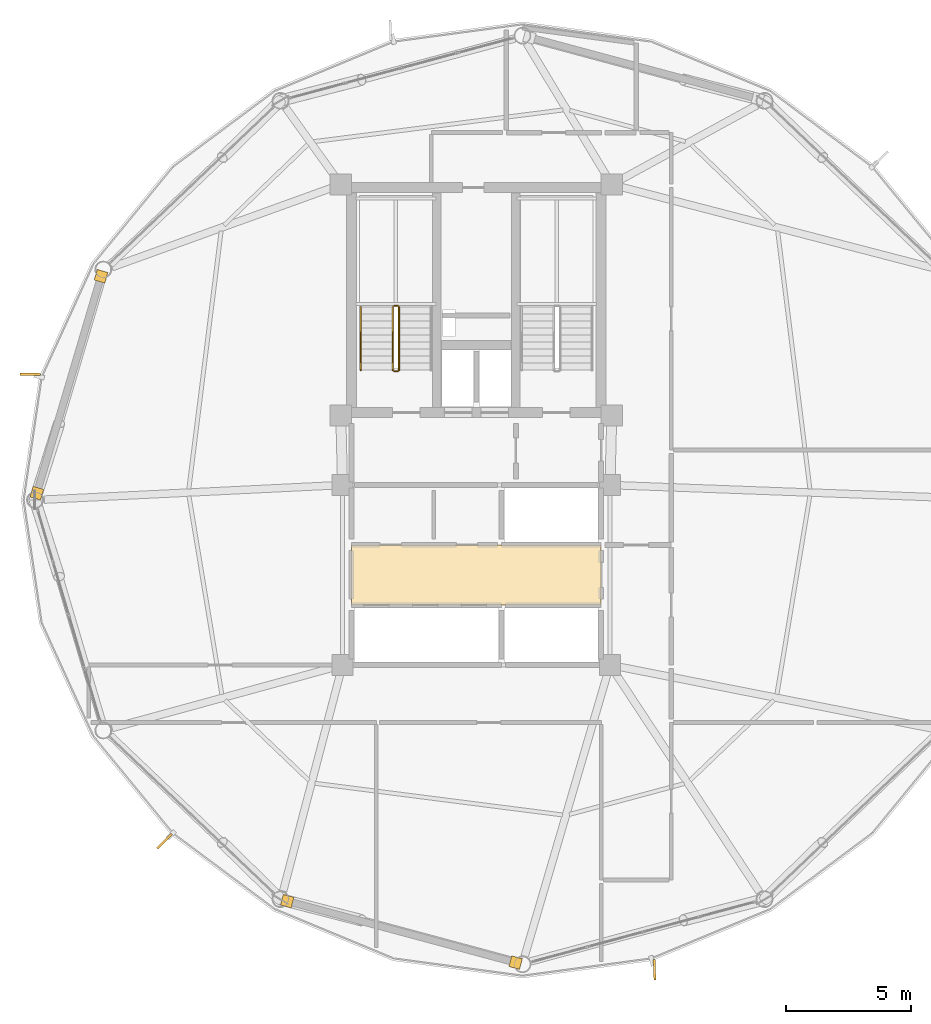
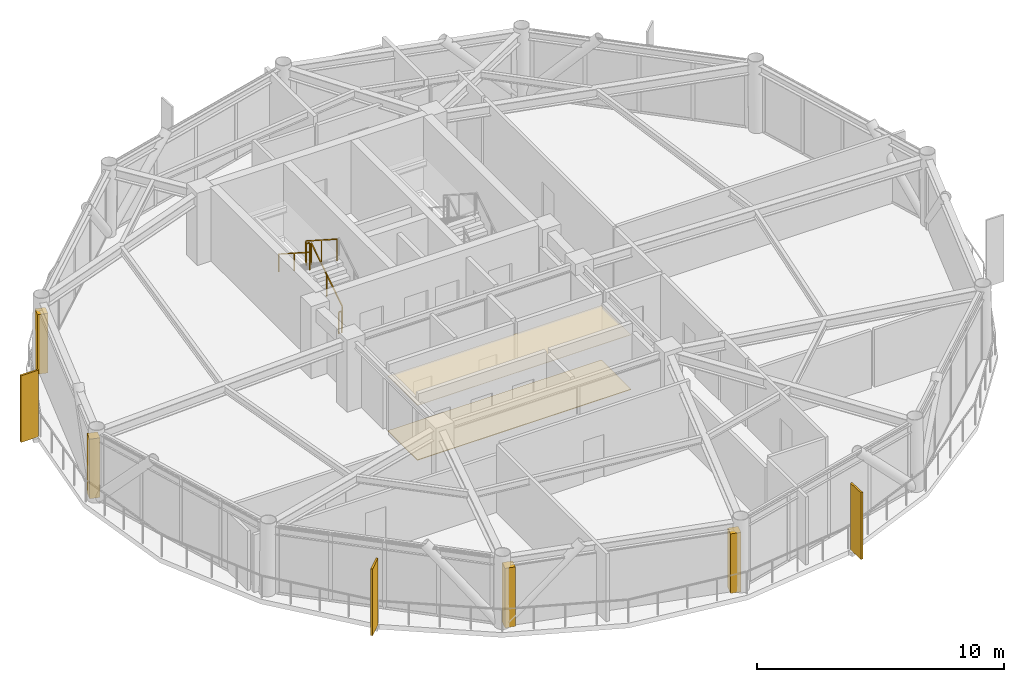
# One storey, part 26 of 28: 6 coverings, 5 railings, 3 shading devices.
"""IFC4 building model written with IfcOpenShell, lengths in metres."""

from ifc_helpers import new_model, si_unit, direction, frame, origin, origin_2d, place, context, subcontext, project, spatial, polyline, rectangle, outline, extrude, source, transform, mapped, material, layer, layer_set, type_object, type_shapes, element, save


model = new_model("IFC4")

# Units and contexts
model_context = context("Model", 3, precision=1e-05, world=origin(), true_north=direction((0.0, 1.0)))
body_context = subcontext(model_context, "Body", "Model", "MODEL_VIEW")
ifc_project = project(units=[si_unit("LENGTHUNIT", "METRE"), si_unit("AREAUNIT", "SQUARE_METRE"), si_unit("VOLUMEUNIT", "CUBIC_METRE"), si_unit("PLANEANGLEUNIT", "RADIAN"), si_unit("MASSUNIT", "GRAM", prefix="KILO")], contexts=[model_context])

# Site, building, storey
site_placement = place(None, origin())
site = spatial("IfcSite", under=ifc_project, at=site_placement, CompositionType="ELEMENT")
building_placement = place(site_placement, origin())
building = spatial("IfcBuilding", under=site, at=building_placement, Name="Varnakorn Sky Granary", CompositionType="ELEMENT")
storey_placement = place(building_placement, frame((0.0, 0.0, 193.199951171875)))
storey = spatial("IfcBuildingStorey", under=building, at=storey_placement, Name="L48", CompositionType="ELEMENT", Elevation=193.199951171875)

# Coverings
ifc_material_1 = material(Name="Perforated Acoustic Mineral-Fibre Ceiling", Category="gypsum")
ifc_layer_1 = layer(ifc_material_1, 0.02001953125, Name="Perforated Acoustic Mineral-Fibre Ceiling")
ifc_layer_set_1 = layer_set([ifc_layer_1], Name="Perforated Acoustic Mineral-Fibre Ceiling")
covering_type_1 = type_object("IfcCoveringType", Name="CV-CEIL-20", PredefinedType="CEILING", material=ifc_layer_set_1)
covering_1_placement = place(storey_placement, frame((0.0, 0.0, 2.7099609375)))
element("IfcCovering", 1, at=covering_1_placement, inside=storey, type_object=covering_type_1, Name="Lift Lobby Perforated Acoustic Ceiling L48", PredefinedType="CEILING", context=body_context, shape_type="SweptSolid", body=[
    extrude(outline(polyline([(-2.0, -4.199951171875), (8.0, -4.199951171875), (8.0, -1.800048828125), (-2.0, -1.800048828125), (-2.0, -4.199951171875)])), origin(), (0.0, 0.0, 1.0), 0.02001953125),
])
ifc_material_2 = material(Name="Honed Epoxy Terrazzo Topping", Category="concrete")
ifc_layer_2 = layer(ifc_material_2, 0.030029296875, Name="Honed Epoxy Terrazzo Topping")
ifc_layer_set_2 = layer_set([ifc_layer_2], Name="Honed Epoxy Terrazzo Topping")
covering_type_2 = type_object("IfcCoveringType", Name="CV-FLOR-30", PredefinedType="FLOORING", material=ifc_layer_set_2)
covering_2_placement = place(storey_placement, origin())
element("IfcCovering", 2, at=covering_2_placement, inside=storey, type_object=covering_type_2, Name="Lift Lobby Terrazzo Floor Finish L48", PredefinedType="FLOORING", context=body_context, shape_type="SweptSolid", body=[
    extrude(outline(polyline([(-2.0, -4.199951171875), (8.0, -4.199951171875), (8.0, -1.800048828125), (-2.0, -1.800048828125), (-2.0, -4.199951171875)])), origin(), (0.0, 0.0, 1.0), 0.030029296875),
])

# Railings
ifc_material_3 = material(Name="Brushed Stainless Steel 316", Category="steel")
railing_type_1 = type_object("IfcRailingType", Name="RL-STAIR-1100", PredefinedType="GUARDRAIL", material=ifc_material_3)
railing_1_placement = place(storey_placement, frame((-0.090087890625, 5.199951171875, 0.179931640625)))
element("IfcRailing", 3, at=railing_1_placement, inside=storey, type_object=railing_type_1, Name="L48 ST-1 stair guard 1", PredefinedType="GUARDRAIL", context=body_context, shape_type="SweptSolid", body=[
    extrude(rectangle(XDim=0.048095703125, YDim=0.048095703125, at=origin_2d()), frame((0.0, 0.0, 1.076171875), z_axis=(0.0, 0.841162588446, 0.540782303519), x_axis=(-1.0, 0.0, 0.0)), (0.0, 0.0, 1.0), 2.995849609375),
    extrude(rectangle(XDim=0.0419921875, YDim=0.0419921875, at=origin_2d()), origin(), (0.0, 0.0, 1.0), 1.048095703125),
    extrude(rectangle(XDim=0.0419921875, YDim=0.0419921875, at=origin_2d()), frame((0.0, 1.260009765625, 0.81005859375)), (0.0, 0.0, 1.0), 1.048095703125),
    extrude(rectangle(XDim=0.0419921875, YDim=0.0419921875, at=origin_2d()), frame((0.0, 2.52001953125, 1.6201171875)), (0.0, 0.0, 1.0), 1.048095703125),
])
railing_2_placement = place(storey_placement, frame((-0.139892578125, 7.77001953125, 1.800048828125)))
element("IfcRailing", 4, at=railing_2_placement, inside=storey, type_object=railing_type_1, Name="L48 ST-1 stair guard 2", PredefinedType="GUARDRAIL", context=body_context, shape_type="SweptSolid", body=[
    extrude(rectangle(XDim=0.048095703125, YDim=0.048095703125, at=origin_2d()), frame((0.0, 0.0, 1.076171875), z_axis=(-1.0, 0.0, 0.0), x_axis=(0.0, -1.0, 0.0)), (0.0, 0.0, 1.0), 0.150146484375),
    extrude(rectangle(XDim=0.0419921875, YDim=0.0419921875, at=origin_2d()), origin(), (0.0, 0.0, 1.0), 1.048095703125),
    extrude(rectangle(XDim=0.0419921875, YDim=0.0419921875, at=origin_2d()), frame((-0.150146484375, 0.0, 0.0)), (0.0, 0.0, 1.0), 1.048095703125),
])
railing_3_placement = place(storey_placement, frame((-0.340087890625, 7.719970703125, 1.97998046875)))
element("IfcRailing", 5, at=railing_3_placement, inside=storey, type_object=railing_type_1, Name="L48 ST-1 stair guard 3", PredefinedType="GUARDRAIL", context=body_context, shape_type="SweptSolid", body=[
    extrude(rectangle(XDim=0.048095703125, YDim=0.048095703125, at=origin_2d()), frame((0.0, 0.0, 1.076171875), z_axis=(0.0, -0.841162588446, 0.540782303519), x_axis=(1.0, 0.0, 0.0)), (0.0, 0.0, 1.0), 2.995849609375),
    extrude(rectangle(XDim=0.0419921875, YDim=0.0419921875, at=origin_2d()), origin(), (0.0, 0.0, 1.0), 1.048095703125),
    extrude(rectangle(XDim=0.0419921875, YDim=0.0419921875, at=origin_2d()), frame((0.0, -1.260009765625, 0.81005859375)), (0.0, 0.0, 1.0), 1.048095703125),
    extrude(rectangle(XDim=0.0419921875, YDim=0.0419921875, at=origin_2d()), frame((0.0, -2.52001953125, 1.6201171875)), (0.0, 0.0, 1.0), 1.048095703125),
])
railing_4_placement = place(storey_placement, frame((-0.139892578125, 5.14990234375, 0.0)))
element("IfcRailing", 6, at=railing_4_placement, inside=storey, type_object=railing_type_1, Name="L48 ST-1 stair guard 4", PredefinedType="GUARDRAIL", context=body_context, shape_type="SweptSolid", body=[
    extrude(rectangle(XDim=0.048095703125, YDim=0.048095703125, at=origin_2d()), frame((0.0, 0.0, 1.076171875), z_axis=(-1.0, 0.0, 0.0), x_axis=(0.0, -1.0, 0.0)), (0.0, 0.0, 1.0), 0.150146484375),
    extrude(rectangle(XDim=0.0419921875, YDim=0.0419921875, at=origin_2d()), origin(), (0.0, 0.0, 1.0), 1.048095703125),
    extrude(rectangle(XDim=0.0419921875, YDim=0.0419921875, at=origin_2d()), frame((-0.150146484375, 0.0, 0.0)), (0.0, 0.0, 1.0), 1.048095703125),
])
railing_type_2 = type_object("IfcRailingType", Name="RL-STAIR-920", PredefinedType="HANDRAIL", material=ifc_material_3)
railing_5_placement = place(storey_placement, frame((-1.6201171875, 7.719970703125, 1.97998046875)))
element("IfcRailing", 7, at=railing_5_placement, inside=storey, type_object=railing_type_2, Name="L48 ST-1 stair handrail 2", PredefinedType="HANDRAIL", context=body_context, shape_type="SweptSolid", body=[
    extrude(rectangle(XDim=0.048095703125, YDim=0.048095703125, at=origin_2d()), frame((0.0, 0.0, 0.8759765625), z_axis=(0.0, -0.841162588446, 0.540782303519), x_axis=(1.0, 0.0, 0.0)), (0.0, 0.0, 1.0), 2.995849609375),
    extrude(rectangle(XDim=0.0419921875, YDim=0.0419921875, at=origin_2d()), origin(), (0.0, 0.0, 1.0), 0.847900390625),
    extrude(rectangle(XDim=0.0419921875, YDim=0.0419921875, at=origin_2d()), frame((0.0, -1.260009765625, 0.81005859375)), (0.0, 0.0, 1.0), 0.847900390625),
    extrude(rectangle(XDim=0.0419921875, YDim=0.0419921875, at=origin_2d()), frame((0.0, -2.52001953125, 1.6201171875)), (0.0, 0.0, 1.0), 0.847900390625),
])

# Shading devices
ifc_material_4 = material(Name="Anodised Bronze Aluminium Alloy 6063-T6", Category="aluminium")
shading_device_type = type_object("IfcShadingDeviceType", Name="SH-FIN-02", PredefinedType="USERDEFINED", material=ifc_material_4)
shared_shape_1 = source(origin(), body_context, "Body", "SweptSolid", [
    extrude(rectangle(XDim=0.0849609375, YDim=0.820068359375, at=origin_2d()), origin(), (0.0, 0.0, 1.0), 3.300048828125),
])
type_shapes(shading_device_type, [shared_shape_1])
for number, where, z_axis, x_axis, name in (
    (8, (-14.843017578125, 5.030029296875, -0.0400390625), (0.0, 0.0, 1.0), (-0.005032615408, -0.999987336311, 0.0), "Bronze Solar-Tracking Vertical Blade FIN L48-06"),
    (9, (-9.477783203125, -13.653564453125, -0.0400390625), (0.0, 0.0, 1.0), (0.699541656098, -0.71459182152, 0.0), "Bronze Solar-Tracking Vertical Blade FIN L48-08"),
    (10, (10.132080078125, -18.79150390625, -0.0400390625), (0.0, 0.0, 1.0), (0.999364086936, 0.035657001306, 0.0), "Bronze Solar-Tracking Vertical Blade FIN L48-10"),
):
    element("IfcShadingDevice", number, at=place(storey_placement, frame(where, z_axis=z_axis, x_axis=x_axis)), inside=storey, type_object=shading_device_type, Name=name, ObjectType="FIN", PredefinedType="USERDEFINED", context=body_context, shape_type="MappedRepresentation", body=[
        mapped(shared_shape_1, transform((0.0, 0.0, 0.0), x_axis=(1.0, 0.0, 0.0), y_axis=(0.0, 1.0, 0.0), z_axis=(0.0, 0.0, 1.0), scale=1.0)),
    ])

# Coverings
ifc_layer_3 = layer(ifc_material_4, 0.050048828125, Name="Anodised Bronze Aluminium Alloy 6063-T6")
ifc_layer_set_3 = layer_set([ifc_layer_3], Name="Anodised Bronze Aluminium Alloy 6063-T6")
covering_type_3 = type_object("IfcCoveringType", Name="CV-CLAD-50", PredefinedType="CLADDING", material=ifc_layer_set_3)
shared_shape_2 = source(origin(), body_context, "Body", "SweptSolid", [
    extrude(rectangle(XDim=0.43994140625, YDim=0.43994140625, at=origin_2d()), origin(), (0.0, 0.0, 1.0), 2.949951171875),
])
type_shapes(covering_type_3, [shared_shape_2])
for number, where, z_axis, x_axis, name in (
    (11, (-14.580078125, 0.273193359375, -0.02001953125), (0.0, 0.0, 1.0), (0.283847994766, 0.958869290293, 0.0), "Bronze Corner Pilaster Closure L48-P06-A"),
    (12, (-12.010986328125, 8.94970703125, -0.02001953125), (0.0, 0.0, 1.0), (0.283847994766, 0.958869290293, 0.0), "Bronze Corner Pilaster Closure L48-P06-B"),
    (13, (4.57470703125, -18.507080078125, -0.02001953125), (0.0, 0.0, 1.0), (-0.96565426204, 0.259830418164, 0.0), "Bronze Corner Pilaster Closure L48-P09-A"),
    (14, (-4.562744140625, -16.048583984375, -0.02001953125), (0.0, 0.0, 1.0), (-0.96565426204, 0.259830418164, 0.0), "Bronze Corner Pilaster Closure L48-P09-B"),
):
    element("IfcCovering", number, at=place(storey_placement, frame(where, z_axis=z_axis, x_axis=x_axis)), inside=storey, type_object=covering_type_3, Name=name, PredefinedType="CLADDING", context=body_context, shape_type="MappedRepresentation", body=[
        mapped(shared_shape_2, transform((0.0, 0.0, 0.0), x_axis=(1.0, 0.0, 0.0), y_axis=(0.0, 1.0, 0.0), z_axis=(0.0, 0.0, 1.0), scale=1.0)),
    ])

save(model, "model.ifc")
